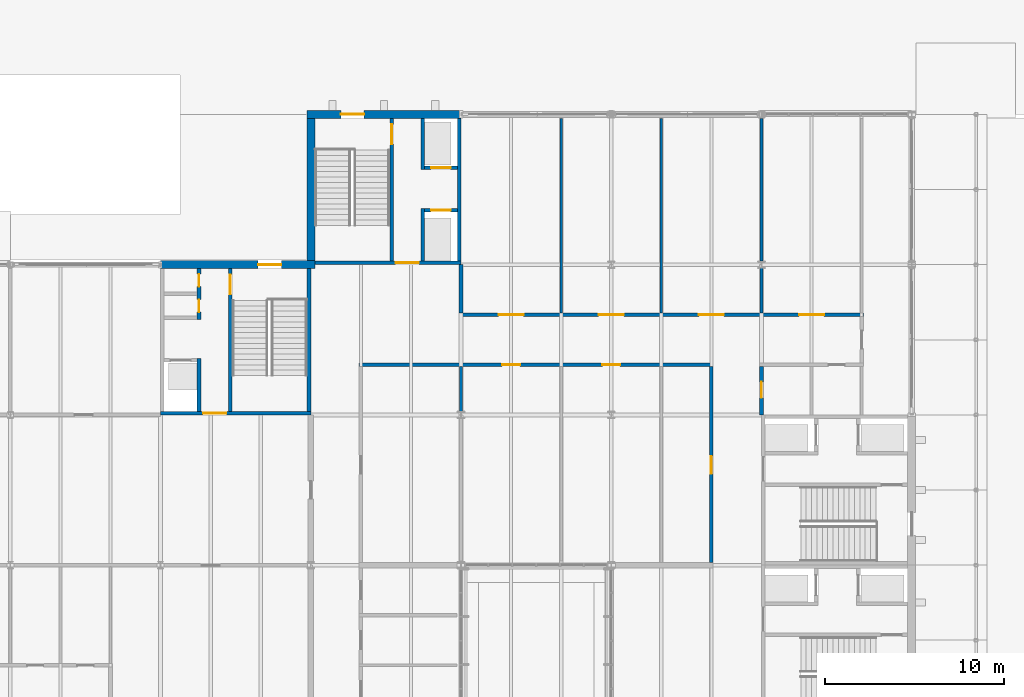
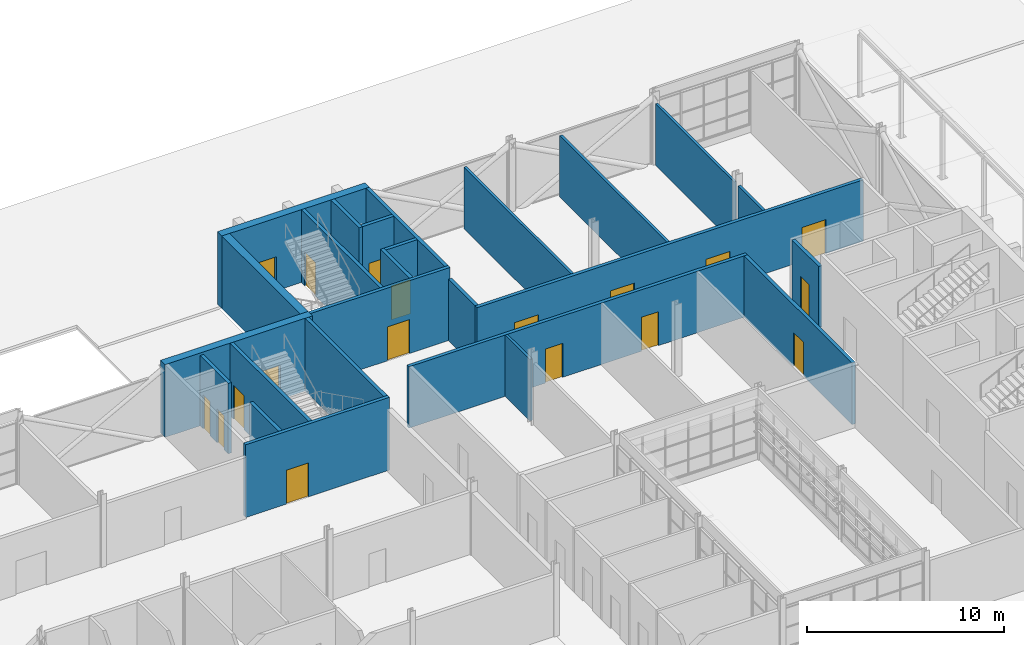
# One storey, part 94 of 116: 25 walls, 18 doors, 18 openings.
"""IFC4 building model written with IfcOpenShell, lengths in metres."""

from ifc_helpers import new_model, si_unit, direction, frame, frame_2d, origin, place, context, subcontext, project, spatial, rectangle, extrude, material, layer, layer_set, type_object, element, fill, save


model = new_model("IFC4")

# Units and contexts
model_context = context("Model", 3, precision=1e-05, world=origin(), true_north=direction((0.0, 1.0)))
body_context = subcontext(model_context, "Body", "Model", "MODEL_VIEW")
ifc_project = project(units=[si_unit("LENGTHUNIT", "METRE"), si_unit("AREAUNIT", "SQUARE_METRE"), si_unit("VOLUMEUNIT", "CUBIC_METRE"), si_unit("PLANEANGLEUNIT", "RADIAN"), si_unit("MASSUNIT", "GRAM", prefix="KILO")], contexts=[model_context])

# Site, building, storey
site_placement = place(None, origin())
site = spatial("IfcSite", under=ifc_project, at=site_placement, CompositionType="ELEMENT")
building_placement = place(site_placement, origin())
building = spatial("IfcBuilding", under=site, at=building_placement, Name="Ardhachandra Cancer Care Centre", CompositionType="ELEMENT")
storey_placement = place(building_placement, origin())
storey = spatial("IfcBuildingStorey", under=building, at=storey_placement, Name="L00", CompositionType="ELEMENT", Elevation=0.0)

# Wall, openings, doors
ifc_material_1 = material(Name="Gypsum board corridor partition on steel studs", Category="steel")
ifc_layer_1 = layer(ifc_material_1, 0.199951171875)
ifc_layer_set_1 = layer_set([ifc_layer_1], Name="Gypsum board corridor partition on steel studs")
wall_type_1 = type_object("IfcWallType", Name="CORRIDOR WALL 200", PredefinedType="PARTITIONING", material=ifc_layer_set_1)
wall_1_placement = place(storey_placement, frame((114.300048828125, 91.0, 0.0), z_axis=(0.0, 0.0, 1.0), x_axis=(1.0, 0.0, 0.0)))
wall_1 = element("IfcWall", 1, at=wall_1_placement, inside=storey, type_object=wall_type_1, Name="R/wall/L00/h0091000_0114300", PredefinedType="PARTITIONING", context=body_context, shape_type="SweptSolid", body=[
    extrude(rectangle(XDim=19.800048828125, YDim=0.199951171875, at=frame_2d((9.89990234375, 0.0))), origin(), (0.0, 0.0, 1.0), 3.800048828125),
])
opening_1_placement = place(wall_1_placement, frame((8.0, 0.0, 0.0)))
opening_1 = element("IfcOpeningElement", 2, at=opening_1_placement, cuts=wall_1, Name="Opening L00-0046", PredefinedType="OPENING", context=body_context, shape_type="SweptSolid", body=[
    extrude(rectangle(XDim=1.0, YDim=2.10009765625, at=frame_2d((0.5, 1.050048828125))), frame((0.0, 0.10986328125, 0.0), z_axis=(0.0, -1.0, 0.0), x_axis=(1.0, 0.0, 0.0)), (0.0, 0.0, 1.0), 0.219970703125),
])
opening_2_placement = place(wall_1_placement, frame((13.60009765625, 0.0, 0.0)))
opening_2 = element("IfcOpeningElement", 3, at=opening_2_placement, cuts=wall_1, Name="Opening L00-0047", PredefinedType="OPENING", context=body_context, shape_type="SweptSolid", body=[
    extrude(rectangle(XDim=1.0, YDim=2.10009765625, at=frame_2d((0.5, 1.050048828125))), frame((0.0, 0.10986328125, 0.0), z_axis=(0.0, -1.0, 0.0), x_axis=(1.0, 0.0, 0.0)), (0.0, 0.0, 1.0), 0.219970703125),
])
ifc_material_2 = material(Name="Timber fire door with smoke seals", Category="wood")
door_type_1 = type_object("IfcDoorType", Name="FIRE DOOR SINGLE 1000x2100 FD30S", OperationType="NOTDEFINED", PredefinedType="DOOR", material=ifc_material_2)
door_1_placement = place(opening_1_placement, origin())
door_1 = element("IfcDoor", 4, at=door_1_placement, inside=storey, type_object=door_type_1, Name="Door L00-0046", OperationType="SINGLE_SWING_LEFT", OverallHeight=2.10009765625, OverallWidth=1.0, PredefinedType="DOOR", context=body_context, shape_type="SweptSolid", body=[
    extrude(rectangle(XDim=1.0, YDim=2.10009765625, at=frame_2d((0.5, 1.050048828125))), frame((0.0, 0.02490234375, 0.0), z_axis=(0.0, -1.0, 0.0), x_axis=(1.0, 0.0, 0.0)), (0.0, 0.0, 1.0), 0.050048828125),
])
fill(opening_1, door_1)
door_2_placement = place(opening_2_placement, origin())
door_2 = element("IfcDoor", 5, at=door_2_placement, inside=storey, type_object=door_type_1, Name="Door L00-0047", OperationType="SINGLE_SWING_RIGHT", OverallHeight=2.10009765625, OverallWidth=1.0, PredefinedType="DOOR", context=body_context, shape_type="SweptSolid", body=[
    extrude(rectangle(XDim=1.0, YDim=2.10009765625, at=frame_2d((0.5, 1.050048828125))), frame((0.0, 0.02490234375, 0.0), z_axis=(0.0, -1.0, 0.0), x_axis=(1.0, 0.0, 0.0)), (0.0, 0.0, 1.0), 0.050048828125),
])
fill(opening_2, door_2)

wall_2_placement = place(storey_placement, frame((119.89990234375, 93.800048828125, 0.0), z_axis=(0.0, 0.0, 1.0), x_axis=(1.0, 0.0, 0.0)))
wall_2 = element("IfcWall", 6, at=wall_2_placement, inside=storey, type_object=wall_type_1, Name="R/wall/L00/h0093800_0119900", PredefinedType="PARTITIONING", context=body_context, shape_type="SweptSolid", body=[
    extrude(rectangle(XDim=22.60009765625, YDim=0.199951171875, at=frame_2d((11.300048828125, 0.0))), origin(), (0.0, 0.0, 1.0), 3.800048828125),
])
opening_3_placement = place(wall_2_placement, frame((2.199951171875, 0.0, 0.0)))
opening_3 = element("IfcOpeningElement", 7, at=opening_3_placement, cuts=wall_2, Name="Opening L00-0049", PredefinedType="OPENING", context=body_context, shape_type="SweptSolid", body=[
    extrude(rectangle(XDim=1.39990234375, YDim=2.10009765625, at=frame_2d((0.699951171875, 1.050048828125))), frame((0.0, 0.10986328125, 0.0), z_axis=(0.0, -1.0, 0.0), x_axis=(1.0, 0.0, 0.0)), (0.0, 0.0, 1.0), 0.219970703125),
])
opening_4_placement = place(wall_2_placement, frame((7.800048828125, 0.0, 0.0)))
opening_4 = element("IfcOpeningElement", 8, at=opening_4_placement, cuts=wall_2, Name="Opening L00-0050", PredefinedType="OPENING", context=body_context, shape_type="SweptSolid", body=[
    extrude(rectangle(XDim=1.39990234375, YDim=2.10009765625, at=frame_2d((0.699951171875, 1.050048828125))), frame((0.0, 0.10986328125, 0.0), z_axis=(0.0, -1.0, 0.0), x_axis=(1.0, 0.0, 0.0)), (0.0, 0.0, 1.0), 0.219970703125),
])
opening_5_placement = place(wall_2_placement, frame((13.39990234375, 0.0, 0.0)))
opening_5 = element("IfcOpeningElement", 9, at=opening_5_placement, cuts=wall_2, Name="Opening L00-0051", PredefinedType="OPENING", context=body_context, shape_type="SweptSolid", body=[
    extrude(rectangle(XDim=1.39990234375, YDim=2.10009765625, at=frame_2d((0.699951171875, 1.050048828125))), frame((0.0, 0.10986328125, 0.0), z_axis=(0.0, -1.0, 0.0), x_axis=(1.0, 0.0, 0.0)), (0.0, 0.0, 1.0), 0.219970703125),
])
opening_6_placement = place(wall_2_placement, frame((19.0, 0.0, 0.0)))
opening_6 = element("IfcOpeningElement", 10, at=opening_6_placement, cuts=wall_2, Name="Opening L00-0052", PredefinedType="OPENING", context=body_context, shape_type="SweptSolid", body=[
    extrude(rectangle(XDim=1.39990234375, YDim=2.10009765625, at=frame_2d((0.699951171875, 1.050048828125))), frame((0.0, 0.10986328125, 0.0), z_axis=(0.0, -1.0, 0.0), x_axis=(1.0, 0.0, 0.0)), (0.0, 0.0, 1.0), 0.219970703125),
])
ifc_material_3 = material(Name="Timber fire door with smoke seals", Category="wood")
door_type_2 = type_object("IfcDoorType", Name="BED ACCESS DOOR 1400x2100 FD30S", OperationType="NOTDEFINED", PredefinedType="DOOR", material=ifc_material_3)
door_3_placement = place(opening_3_placement, origin())
door_3 = element("IfcDoor", 11, at=door_3_placement, inside=storey, type_object=door_type_2, Name="Door L00-0049", OperationType="DOUBLE_DOOR_SINGLE_SWING", OverallHeight=2.10009765625, OverallWidth=1.39990234375, PredefinedType="DOOR", context=body_context, shape_type="SweptSolid", body=[
    extrude(rectangle(XDim=1.39990234375, YDim=2.10009765625, at=frame_2d((0.699951171875, 1.050048828125))), frame((0.0, 0.02490234375, 0.0), z_axis=(0.0, -1.0, 0.0), x_axis=(1.0, 0.0, 0.0)), (0.0, 0.0, 1.0), 0.050048828125),
])
fill(opening_3, door_3)
door_4_placement = place(opening_4_placement, origin())
door_4 = element("IfcDoor", 12, at=door_4_placement, inside=storey, type_object=door_type_2, Name="Door L00-0050", OperationType="DOUBLE_DOOR_SINGLE_SWING", OverallHeight=2.10009765625, OverallWidth=1.39990234375, PredefinedType="DOOR", context=body_context, shape_type="SweptSolid", body=[
    extrude(rectangle(XDim=1.39990234375, YDim=2.10009765625, at=frame_2d((0.699951171875, 1.050048828125))), frame((0.0, 0.02490234375, 0.0), z_axis=(0.0, -1.0, 0.0), x_axis=(1.0, 0.0, 0.0)), (0.0, 0.0, 1.0), 0.050048828125),
])
fill(opening_4, door_4)
door_5_placement = place(opening_5_placement, origin())
door_5 = element("IfcDoor", 13, at=door_5_placement, inside=storey, type_object=door_type_2, Name="Door L00-0051", OperationType="DOUBLE_DOOR_SINGLE_SWING", OverallHeight=2.10009765625, OverallWidth=1.39990234375, PredefinedType="DOOR", context=body_context, shape_type="SweptSolid", body=[
    extrude(rectangle(XDim=1.39990234375, YDim=2.10009765625, at=frame_2d((0.699951171875, 1.050048828125))), frame((0.0, 0.02490234375, 0.0), z_axis=(0.0, -1.0, 0.0), x_axis=(1.0, 0.0, 0.0)), (0.0, 0.0, 1.0), 0.050048828125),
])
fill(opening_5, door_5)
door_6_placement = place(opening_6_placement, origin())
door_6 = element("IfcDoor", 14, at=door_6_placement, inside=storey, type_object=door_type_2, Name="Door L00-0052", OperationType="DOUBLE_DOOR_SINGLE_SWING", OverallHeight=2.10009765625, OverallWidth=1.39990234375, PredefinedType="DOOR", context=body_context, shape_type="SweptSolid", body=[
    extrude(rectangle(XDim=1.39990234375, YDim=2.10009765625, at=frame_2d((0.699951171875, 1.050048828125))), frame((0.0, 0.02490234375, 0.0), z_axis=(0.0, -1.0, 0.0), x_axis=(1.0, 0.0, 0.0)), (0.0, 0.0, 1.0), 0.050048828125),
])
fill(opening_6, door_6)

# Wall
wall_3_placement = place(storey_placement, frame((120.0, 93.89990234375, 0.0), z_axis=(0.0, 0.0, 1.0), x_axis=(0.0, 1.0, 0.0)))
element("IfcWall", 15, at=wall_3_placement, inside=storey, type_object=wall_type_1, Name="R/wall/L00/v0120000_0093900", PredefinedType="PARTITIONING", context=body_context, shape_type="SweptSolid", body=[
    extrude(rectangle(XDim=2.7001953125, YDim=0.199951171875, at=frame_2d((1.35009765625, 0.0))), origin(), (0.0, 0.0, 1.0), 3.800048828125),
])

# Wall, opening, door
wall_4_placement = place(storey_placement, frame((134.0, 79.949951171875, 0.0), z_axis=(0.0, 0.0, 1.0), x_axis=(0.0, 1.0, 0.0)))
wall_4 = element("IfcWall", 16, at=wall_4_placement, inside=storey, type_object=wall_type_1, Name="R/wall/L00/v0134000_0079950", PredefinedType="PARTITIONING", context=body_context, shape_type="SweptSolid", body=[
    extrude(rectangle(XDim=10.949951171875, YDim=0.199951171875, at=frame_2d((5.47509765625, 0.0))), origin(), (0.0, 0.0, 1.0), 3.800048828125),
])
opening_7_placement = place(wall_4_placement, frame((4.949951171875, 0.0, 0.0)))
opening_7 = element("IfcOpeningElement", 17, at=opening_7_placement, cuts=wall_4, Name="Opening L00-0089", PredefinedType="OPENING", context=body_context, shape_type="SweptSolid", body=[
    extrude(rectangle(XDim=1.0, YDim=2.10009765625, at=frame_2d((0.5, 1.050048828125))), frame((0.0, 0.10986328125, 0.0), z_axis=(0.0, -1.0, 0.0), x_axis=(1.0, 0.0, 0.0)), (0.0, 0.0, 1.0), 0.219970703125),
])
door_7_placement = place(opening_7_placement, origin())
door_7 = element("IfcDoor", 18, at=door_7_placement, inside=storey, type_object=door_type_1, Name="Door L00-0089", OperationType="SINGLE_SWING_RIGHT", OverallHeight=2.10009765625, OverallWidth=1.0, PredefinedType="DOOR", context=body_context, shape_type="SweptSolid", body=[
    extrude(rectangle(XDim=1.0, YDim=2.10009765625, at=frame_2d((0.5, 1.050048828125))), frame((0.0, 0.02490234375, 0.0), z_axis=(0.0, -1.0, 0.0), x_axis=(1.0, 0.0, 0.0)), (0.0, 0.0, 1.0), 0.050048828125),
])
fill(opening_7, door_7)

wall_5_placement = place(storey_placement, frame((136.800048828125, 88.199951171875, 0.0), z_axis=(0.0, 0.0, 1.0), x_axis=(0.0, 1.0, 0.0)))
wall_5 = element("IfcWall", 19, at=wall_5_placement, inside=storey, type_object=wall_type_1, Name="R/wall/L00/v0136800_0088200", PredefinedType="PARTITIONING", context=body_context, shape_type="SweptSolid", body=[
    extrude(rectangle(XDim=2.699951171875, YDim=0.199951171875, at=frame_2d((1.35009765625, 0.0))), origin(), (0.0, 0.0, 1.0), 3.800048828125),
])
opening_8_placement = place(wall_5_placement, frame((0.949951171875, 0.0, 0.0)))
opening_8 = element("IfcOpeningElement", 20, at=opening_8_placement, cuts=wall_5, Name="Opening L00-0091", PredefinedType="OPENING", context=body_context, shape_type="SweptSolid", body=[
    extrude(rectangle(XDim=0.89990234375, YDim=2.10009765625, at=frame_2d((0.449951171875, 1.050048828125))), frame((0.0, 0.10986328125, 0.0), z_axis=(0.0, -1.0, 0.0), x_axis=(1.0, 0.0, 0.0)), (0.0, 0.0, 1.0), 0.219970703125),
])
ifc_material_4 = material(Name="Timber fire door with smoke seals", Category="wood")
door_type_3 = type_object("IfcDoorType", Name="FIRE DOOR WC 900x2100 FD30S", OperationType="NOTDEFINED", PredefinedType="DOOR", material=ifc_material_4)
door_8_placement = place(opening_8_placement, origin())
door_8 = element("IfcDoor", 21, at=door_8_placement, inside=storey, type_object=door_type_3, Name="Door L00-0091", OperationType="SINGLE_SWING_LEFT", OverallHeight=2.10009765625, OverallWidth=0.89990234375, PredefinedType="DOOR", context=body_context, shape_type="SweptSolid", body=[
    extrude(rectangle(XDim=0.89990234375, YDim=2.10009765625, at=frame_2d((0.449951171875, 1.050048828125))), frame((0.0, 0.02490234375, 0.0), z_axis=(0.0, -1.0, 0.0), x_axis=(1.0, 0.0, 0.0)), (0.0, 0.0, 1.0), 0.050048828125),
])
fill(opening_8, door_8)

ifc_material_5 = material(Name="Concrete M40", Category="concrete")
ifc_layer_2 = layer(ifc_material_5, 0.449951171875)
ifc_layer_set_2 = layer_set([ifc_layer_2], Name="Concrete M40")
wall_type_2 = type_object("IfcWallType", Name="Core exterior wall RC 450", PredefinedType="SOLIDWALL", material=ifc_layer_set_2)
wall_6_placement = place(storey_placement, frame((111.824951171875, 96.60009765625, 0.0), z_axis=(0.0, 0.0, 1.0), x_axis=(-1.0, 0.0, 0.0)))
wall_6 = element("IfcWall", 22, at=wall_6_placement, inside=storey, type_object=wall_type_2, Name="Core wall K7 FAR", PredefinedType="SOLIDWALL", context=body_context, shape_type="SweptSolid", body=[
    extrude(rectangle(XDim=8.625, YDim=0.449951171875, at=frame_2d((4.3125, 0.0))), origin(), (0.0, 0.0, 1.0), 4.5),
])
opening_9_placement = place(wall_6_placement, frame((1.875, 0.0, 0.0)))
opening_9 = element("IfcOpeningElement", 23, at=opening_9_placement, cuts=wall_6, Name="Opening L00-K07-6", PredefinedType="OPENING", context=body_context, shape_type="SweptSolid", body=[
    extrude(rectangle(XDim=1.300048828125, YDim=2.10009765625, at=frame_2d((0.64990234375, 1.050048828125))), frame((0.0, 0.23486328125, 0.0), z_axis=(0.0, -1.0, 0.0), x_axis=(1.0, 0.0, 0.0)), (0.0, 0.0, 1.0), 0.469970703125),
])
ifc_material_6 = material(Name="Steel door set", Category="steel")
door_type_4 = type_object("IfcDoorType", Name="Core exit double door 1300x2100 FD60S", OperationType="DOUBLE_DOOR_DOUBLE_SWING", PredefinedType="DOOR", material=ifc_material_6)
door_9_placement = place(opening_9_placement, origin())
door_9 = element("IfcDoor", 24, at=door_9_placement, inside=storey, type_object=door_type_4, Name="Stair exit door", OperationType="DOUBLE_DOOR_DOUBLE_SWING", OverallHeight=2.10009765625, OverallWidth=1.300048828125, PredefinedType="DOOR", context=body_context, shape_type="SweptSolid", body=[
    extrude(rectangle(XDim=1.300048828125, YDim=2.10009765625, at=frame_2d((0.64990234375, 1.050048828125))), frame((0.0, 0.02490234375, 0.0), z_axis=(0.0, -1.0, 0.0), x_axis=(1.0, 0.0, 0.0)), (0.0, 0.0, 1.0), 0.050048828125),
])
fill(opening_9, door_9)

wall_7_placement = place(storey_placement, frame((111.375, 105.0, 0.0), z_axis=(0.0, 0.0, 1.0), x_axis=(1.0, 0.0, 0.0)))
wall_7 = element("IfcWall", 25, at=wall_7_placement, inside=storey, type_object=wall_type_2, Name="Core wall K12 FAR", PredefinedType="SOLIDWALL", context=body_context, shape_type="SweptSolid", body=[
    extrude(rectangle(XDim=8.625, YDim=0.449951171875, at=frame_2d((4.3125, 0.0))), origin(), (0.0, 0.0, 1.0), 4.5),
])
opening_10_placement = place(wall_7_placement, frame((1.89990234375, 0.0, 0.0)))
opening_10 = element("IfcOpeningElement", 26, at=opening_10_placement, cuts=wall_7, Name="Opening L00-K12-5", PredefinedType="OPENING", context=body_context, shape_type="SweptSolid", body=[
    extrude(rectangle(XDim=1.300048828125, YDim=2.10009765625, at=frame_2d((0.64990234375, 1.050048828125))), frame((0.0, 0.23486328125, 0.0), z_axis=(0.0, -1.0, 0.0), x_axis=(1.0, 0.0, 0.0)), (0.0, 0.0, 1.0), 0.469970703125),
])
door_10_placement = place(opening_10_placement, origin())
door_10 = element("IfcDoor", 27, at=door_10_placement, inside=storey, type_object=door_type_4, Name="Stair exit door", OperationType="DOUBLE_DOOR_DOUBLE_SWING", OverallHeight=2.10009765625, OverallWidth=1.300048828125, PredefinedType="DOOR", context=body_context, shape_type="SweptSolid", body=[
    extrude(rectangle(XDim=1.300048828125, YDim=2.10009765625, at=frame_2d((0.64990234375, 1.050048828125))), frame((0.0, 0.02490234375, 0.0), z_axis=(0.0, -1.0, 0.0), x_axis=(1.0, 0.0, 0.0)), (0.0, 0.0, 1.0), 0.050048828125),
])
fill(opening_10, door_10)

# Wall
wall_8_placement = place(storey_placement, frame((111.60009765625, 96.824951171875, 0.0), z_axis=(0.0, 0.0, 1.0), x_axis=(0.0, 1.0, 0.0)))
element("IfcWall", 28, at=wall_8_placement, inside=storey, type_object=wall_type_2, Name="Core wall K12 UW", PredefinedType="SOLIDWALL", context=body_context, shape_type="SweptSolid", body=[
    extrude(rectangle(XDim=7.949951171875, YDim=0.449951171875, at=frame_2d((3.97509765625, 0.0))), origin(), (0.0, 0.0, 1.0), 4.5),
])

# Wall, opening, door
ifc_material_7 = material(Name="Concrete M40", Category="concrete")
ifc_layer_3 = layer(ifc_material_7, 0.199951171875)
ifc_layer_set_3 = layer_set([ifc_layer_3], Name="Concrete M40")
wall_type_3 = type_object("IfcWallType", Name="Core wall RC 200", PredefinedType="SOLIDWALL", material=ifc_layer_set_3)
wall_9_placement = place(storey_placement, frame((111.60009765625, 88.300048828125, 0.0), z_axis=(0.0, 0.0, 1.0), x_axis=(-1.0, 0.0, 0.0)))
wall_9 = element("IfcWall", 29, at=wall_9_placement, inside=storey, type_object=wall_type_3, Name="Core wall K7 ENT", PredefinedType="SOLIDWALL", context=body_context, shape_type="SweptSolid", body=[
    extrude(rectangle(XDim=8.400146484375, YDim=0.199951171875, at=frame_2d((4.2001953125, 0.0))), origin(), (0.0, 0.0, 1.0), 4.5),
])
opening_11_placement = place(wall_9_placement, frame((4.72509765625, 0.0, 0.0)))
opening_11 = element("IfcOpeningElement", 30, at=opening_11_placement, cuts=wall_9, Name="Opening L00-K07-1", PredefinedType="OPENING", context=body_context, shape_type="SweptSolid", body=[
    extrude(rectangle(XDim=1.300048828125, YDim=2.10009765625, at=frame_2d((0.64990234375, 1.050048828125))), frame((0.0, 0.10986328125, 0.0), z_axis=(0.0, -1.0, 0.0), x_axis=(1.0, 0.0, 0.0)), (0.0, 0.0, 1.0), 0.219970703125),
])
ifc_material_8 = material(Name="Steel door set", Category="steel")
door_type_5 = type_object("IfcDoorType", Name="Core entry double door 1300x2100 FD60", OperationType="DOUBLE_DOOR_DOUBLE_SWING", PredefinedType="DOOR", material=ifc_material_8)
door_11_placement = place(opening_11_placement, origin())
door_11 = element("IfcDoor", 31, at=door_11_placement, inside=storey, type_object=door_type_5, Name="Core entry door", OperationType="DOUBLE_DOOR_DOUBLE_SWING", OverallHeight=2.10009765625, OverallWidth=1.300048828125, PredefinedType="DOOR", context=body_context, shape_type="SweptSolid", body=[
    extrude(rectangle(XDim=1.300048828125, YDim=2.10009765625, at=frame_2d((0.64990234375, 1.050048828125))), frame((0.0, 0.02490234375, 0.0), z_axis=(0.0, -1.0, 0.0), x_axis=(1.0, 0.0, 0.0)), (0.0, 0.0, 1.0), 0.050048828125),
])
fill(opening_11, door_11)

# Wall
wall_10_placement = place(storey_placement, frame((111.5, 88.39990234375, 0.0), z_axis=(0.0, 0.0, 1.0), x_axis=(0.0, 1.0, 0.0)))
element("IfcWall", 32, at=wall_10_placement, inside=storey, type_object=wall_type_3, Name="Core wall K7 UW", PredefinedType="SOLIDWALL", context=body_context, shape_type="SweptSolid", body=[
    extrude(rectangle(XDim=7.97509765625, YDim=0.199951171875, at=frame_2d((3.987548828125, 0.0))), origin(), (0.0, 0.0, 1.0), 4.5),
])

# Wall, opening, door
wall_11_placement = place(storey_placement, frame((107.10009765625, 88.39990234375, 0.0), z_axis=(0.0, 0.0, 1.0), x_axis=(0.0, 1.0, 0.0)))
wall_11 = element("IfcWall", 33, at=wall_11_placement, inside=storey, type_object=wall_type_3, Name="Core wall K7 P1", PredefinedType="SOLIDWALL", context=body_context, shape_type="SweptSolid", body=[
    extrude(rectangle(XDim=7.97509765625, YDim=0.199951171875, at=frame_2d((3.987548828125, 0.0))), origin(), (0.0, 0.0, 1.0), 4.5),
])
opening_12_placement = place(wall_11_placement, frame((6.53759765625, 0.0, 0.0)))
opening_12 = element("IfcOpeningElement", 34, at=opening_12_placement, cuts=wall_11, Name="Opening L00-K07-2", PredefinedType="OPENING", context=body_context, shape_type="SweptSolid", body=[
    extrude(rectangle(XDim=1.10009765625, YDim=2.10009765625, at=frame_2d((0.550048828125, 1.050048828125))), frame((0.0, 0.10986328125, 0.0), z_axis=(0.0, -1.0, 0.0), x_axis=(1.0, 0.0, 0.0)), (0.0, 0.0, 1.0), 0.219970703125),
])
ifc_material_9 = material(Name="Steel door set", Category="steel")
door_type_6 = type_object("IfcDoorType", Name="Stair door 1100x2100 FD60S", OperationType="NOTDEFINED", PredefinedType="DOOR", material=ifc_material_9)
door_12_placement = place(opening_12_placement, origin())
door_12 = element("IfcDoor", 35, at=door_12_placement, inside=storey, type_object=door_type_6, Name="Stair door", OperationType="SINGLE_SWING_LEFT", OverallHeight=2.10009765625, OverallWidth=1.10009765625, PredefinedType="DOOR", context=body_context, shape_type="SweptSolid", body=[
    extrude(rectangle(XDim=1.10009765625, YDim=2.10009765625, at=frame_2d((0.550048828125, 1.050048828125))), frame((0.0, 0.02490234375, 0.0), z_axis=(0.0, -1.0, 0.0), x_axis=(1.0, 0.0, 0.0)), (0.0, 0.0, 1.0), 0.050048828125),
])
fill(opening_12, door_12)

# Wall
wall_12_placement = place(storey_placement, frame((105.35009765625, 88.39990234375, 0.0), z_axis=(0.0, 0.0, 1.0), x_axis=(0.0, 1.0, 0.0)))
element("IfcWall", 36, at=wall_12_placement, inside=storey, type_object=wall_type_3, Name="Core wall K7 P2A", PredefinedType="SOLIDWALL", context=body_context, shape_type="SweptSolid", body=[
    extrude(rectangle(XDim=2.9501953125, YDim=0.199951171875, at=frame_2d((1.47509765625, 0.0))), origin(), (0.0, 0.0, 1.0), 4.5),
])

# Wall, openings, doors
wall_13_placement = place(storey_placement, frame((105.35009765625, 93.52490234375, 0.0), z_axis=(0.0, 0.0, 1.0), x_axis=(0.0, 1.0, 0.0)))
wall_13 = element("IfcWall", 37, at=wall_13_placement, inside=storey, type_object=wall_type_3, Name="Core wall K7 P2B", PredefinedType="SOLIDWALL", context=body_context, shape_type="SweptSolid", body=[
    extrude(rectangle(XDim=2.85009765625, YDim=0.199951171875, at=frame_2d((1.425048828125, 0.0))), origin(), (0.0, 0.0, 1.0), 4.35009765625),
])
opening_13_placement = place(wall_13_placement, frame((0.425048828125, 0.0, 0.0)))
opening_13 = element("IfcOpeningElement", 38, at=opening_13_placement, cuts=wall_13, Name="Opening L00-K07-4", PredefinedType="OPENING", context=body_context, shape_type="SweptSolid", body=[
    extrude(rectangle(XDim=0.699951171875, YDim=2.10009765625, at=frame_2d((0.35009765625, 1.050048828125))), frame((0.0, 0.10986328125, 0.0), z_axis=(0.0, -1.0, 0.0), x_axis=(1.0, 0.0, 0.0)), (0.0, 0.0, 1.0), 0.219970703125),
])
opening_14_placement = place(wall_13_placement, frame((1.85009765625, 0.0, 0.0)))
opening_14 = element("IfcOpeningElement", 39, at=opening_14_placement, cuts=wall_13, Name="Opening L00-K07-5", PredefinedType="OPENING", context=body_context, shape_type="SweptSolid", body=[
    extrude(rectangle(XDim=0.699951171875, YDim=2.10009765625, at=frame_2d((0.35009765625, 1.050048828125))), frame((0.0, 0.10986328125, 0.0), z_axis=(0.0, -1.0, 0.0), x_axis=(1.0, 0.0, 0.0)), (0.0, 0.0, 1.0), 0.219970703125),
])
ifc_material_10 = material(Name="Steel door set", Category="steel")
door_type_7 = type_object("IfcDoorType", Name="Riser access door 700x2100 FD120S", OperationType="NOTDEFINED", PredefinedType="DOOR", material=ifc_material_10)
door_13_placement = place(opening_13_placement, origin())
door_13 = element("IfcDoor", 40, at=door_13_placement, inside=storey, type_object=door_type_7, Name="Riser access door", OperationType="SINGLE_SWING_RIGHT", OverallHeight=2.10009765625, OverallWidth=0.699951171875, PredefinedType="DOOR", context=body_context, shape_type="SweptSolid", body=[
    extrude(rectangle(XDim=0.699951171875, YDim=2.10009765625, at=frame_2d((0.35009765625, 1.050048828125))), frame((0.0, 0.02490234375, 0.0), z_axis=(0.0, -1.0, 0.0), x_axis=(1.0, 0.0, 0.0)), (0.0, 0.0, 1.0), 0.050048828125),
])
fill(opening_13, door_13)
door_14_placement = place(opening_14_placement, origin())
door_14 = element("IfcDoor", 41, at=door_14_placement, inside=storey, type_object=door_type_7, Name="Riser access door", OperationType="SINGLE_SWING_LEFT", OverallHeight=2.10009765625, OverallWidth=0.699951171875, PredefinedType="DOOR", context=body_context, shape_type="SweptSolid", body=[
    extrude(rectangle(XDim=0.699951171875, YDim=2.10009765625, at=frame_2d((0.35009765625, 1.050048828125))), frame((0.0, 0.02490234375, 0.0), z_axis=(0.0, -1.0, 0.0), x_axis=(1.0, 0.0, 0.0)), (0.0, 0.0, 1.0), 0.050048828125),
])
fill(opening_14, door_14)

# Wall, opening, door
wall_14_placement = place(storey_placement, frame((111.824951171875, 96.699951171875, 0.0), z_axis=(0.0, 0.0, 1.0), x_axis=(1.0, 0.0, 0.0)))
wall_14 = element("IfcWall", 42, at=wall_14_placement, inside=storey, type_object=wall_type_3, Name="Core wall K12 ENT", PredefinedType="SOLIDWALL", context=body_context, shape_type="SweptSolid", body=[
    extrude(rectangle(XDim=8.175048828125, YDim=0.199951171875, at=frame_2d((4.08740234375, 0.0))), origin(), (0.0, 0.0, 1.0), 4.5),
])
opening_15_placement = place(wall_14_placement, frame((4.512451171875, 0.0, 0.0)))
opening_15 = element("IfcOpeningElement", 43, at=opening_15_placement, cuts=wall_14, Name="Opening L00-K12-1", PredefinedType="OPENING", context=body_context, shape_type="SweptSolid", body=[
    extrude(rectangle(XDim=1.300048828125, YDim=2.10009765625, at=frame_2d((0.64990234375, 1.050048828125))), frame((0.0, 0.10986328125, 0.0), z_axis=(0.0, -1.0, 0.0), x_axis=(1.0, 0.0, 0.0)), (0.0, 0.0, 1.0), 0.219970703125),
])
door_15_placement = place(opening_15_placement, origin())
door_15 = element("IfcDoor", 44, at=door_15_placement, inside=storey, type_object=door_type_5, Name="Core entry door", OperationType="DOUBLE_DOOR_DOUBLE_SWING", OverallHeight=2.10009765625, OverallWidth=1.300048828125, PredefinedType="DOOR", context=body_context, shape_type="SweptSolid", body=[
    extrude(rectangle(XDim=1.300048828125, YDim=2.10009765625, at=frame_2d((0.64990234375, 1.050048828125))), frame((0.0, 0.02490234375, 0.0), z_axis=(0.0, -1.0, 0.0), x_axis=(1.0, 0.0, 0.0)), (0.0, 0.0, 1.0), 0.050048828125),
])
fill(opening_15, door_15)

# Wall
wall_15_placement = place(storey_placement, frame((119.89990234375, 96.800048828125, 0.0), z_axis=(0.0, 0.0, 1.0), x_axis=(0.0, 1.0, 0.0)))
element("IfcWall", 45, at=wall_15_placement, inside=storey, type_object=wall_type_3, Name="Core wall K12 UE", PredefinedType="SOLIDWALL", context=body_context, shape_type="SweptSolid", body=[
    extrude(rectangle(XDim=7.974853515625, YDim=0.199951171875, at=frame_2d((3.9873046875, 0.0))), origin(), (0.0, 0.0, 1.0), 4.5),
])

# Wall, opening, door
wall_16_placement = place(storey_placement, frame((116.125, 96.800048828125, 0.0), z_axis=(0.0, 0.0, 1.0), x_axis=(0.0, 1.0, 0.0)))
wall_16 = element("IfcWall", 46, at=wall_16_placement, inside=storey, type_object=wall_type_3, Name="Core wall K12 P1", PredefinedType="SOLIDWALL", context=body_context, shape_type="SweptSolid", body=[
    extrude(rectangle(XDim=7.974853515625, YDim=0.199951171875, at=frame_2d((3.9873046875, 0.0))), origin(), (0.0, 0.0, 1.0), 4.5),
])
opening_16_placement = place(wall_16_placement, frame((6.53759765625, 0.0, 0.0)))
opening_16 = element("IfcOpeningElement", 47, at=opening_16_placement, cuts=wall_16, Name="Opening L00-K12-2", PredefinedType="OPENING", context=body_context, shape_type="SweptSolid", body=[
    extrude(rectangle(XDim=1.10009765625, YDim=2.10009765625, at=frame_2d((0.550048828125, 1.050048828125))), frame((0.0, 0.10986328125, 0.0), z_axis=(0.0, -1.0, 0.0), x_axis=(1.0, 0.0, 0.0)), (0.0, 0.0, 1.0), 0.219970703125),
])
door_16_placement = place(opening_16_placement, origin())
door_16 = element("IfcDoor", 48, at=door_16_placement, inside=storey, type_object=door_type_6, Name="Stair door", OperationType="SINGLE_SWING_RIGHT", OverallHeight=2.10009765625, OverallWidth=1.10009765625, PredefinedType="DOOR", context=body_context, shape_type="SweptSolid", body=[
    extrude(rectangle(XDim=1.10009765625, YDim=2.10009765625, at=frame_2d((0.550048828125, 1.050048828125))), frame((0.0, 0.02490234375, 0.0), z_axis=(0.0, -1.0, 0.0), x_axis=(1.0, 0.0, 0.0)), (0.0, 0.0, 1.0), 0.050048828125),
])
fill(opening_16, door_16)

# Walls
wall_17_placement = place(storey_placement, frame((117.85009765625, 96.800048828125, 0.0), z_axis=(0.0, 0.0, 1.0), x_axis=(0.0, 1.0, 0.0)))
element("IfcWall", 49, at=wall_17_placement, inside=storey, type_object=wall_type_3, Name="Core wall K12 P2A", PredefinedType="SOLIDWALL", context=body_context, shape_type="SweptSolid", body=[
    extrude(rectangle(XDim=2.949951171875, YDim=0.199951171875, at=frame_2d((1.47509765625, 0.0))), origin(), (0.0, 0.0, 1.0), 4.5),
])
wall_18_placement = place(storey_placement, frame((117.85009765625, 101.925048828125, 0.0), z_axis=(0.0, 0.0, 1.0), x_axis=(0.0, 1.0, 0.0)))
element("IfcWall", 50, at=wall_18_placement, inside=storey, type_object=wall_type_3, Name="Core wall K12 P2B", PredefinedType="SOLIDWALL", context=body_context, shape_type="SweptSolid", body=[
    extrude(rectangle(XDim=2.849853515625, YDim=0.199951171875, at=frame_2d((1.4248046875, 0.0))), origin(), (0.0, 0.0, 1.0), 4.5),
])

# Wall, opening, door
wall_19_placement = place(storey_placement, frame((117.949951171875, 99.64990234375, 0.0), z_axis=(0.0, 0.0, 1.0), x_axis=(1.0, 0.0, 0.0)))
wall_19 = element("IfcWall", 51, at=wall_19_placement, inside=storey, type_object=wall_type_3, Name="Core wall K12 W1", PredefinedType="SOLIDWALL", context=body_context, shape_type="SweptSolid", body=[
    extrude(rectangle(XDim=1.85009765625, YDim=0.199951171875, at=frame_2d((0.925048828125, 0.0))), origin(), (0.0, 0.0, 1.0), 4.5),
])
opening_17_placement = place(wall_19_placement, frame((0.375, 0.0, 0.0)))
opening_17 = element("IfcOpeningElement", 52, at=opening_17_placement, cuts=wall_19, Name="Opening L00-K12-3", PredefinedType="OPENING", context=body_context, shape_type="SweptSolid", body=[
    extrude(rectangle(XDim=1.10009765625, YDim=2.10009765625, at=frame_2d((0.550048828125, 1.050048828125))), frame((0.0, 0.10986328125, 0.0), z_axis=(0.0, -1.0, 0.0), x_axis=(1.0, 0.0, 0.0)), (0.0, 0.0, 1.0), 0.219970703125),
])
ifc_material_11 = material(Name="Stainless steel (grade 304)", Category="steel")
door_type_8 = type_object("IfcDoorType", Name="Lift landing door 1100x2100", OperationType="DOUBLE_DOOR_SLIDING", PredefinedType="DOOR", material=ifc_material_11)
door_17_placement = place(opening_17_placement, origin())
door_17 = element("IfcDoor", 53, at=door_17_placement, inside=storey, type_object=door_type_8, Name="Lift landing door LF-K12-1", OperationType="DOUBLE_DOOR_SLIDING", OverallHeight=2.10009765625, OverallWidth=1.10009765625, PredefinedType="DOOR", context=body_context, shape_type="SweptSolid", body=[
    extrude(rectangle(XDim=1.10009765625, YDim=2.10009765625, at=frame_2d((0.550048828125, 1.050048828125))), frame((0.0, 0.02490234375, 0.0), z_axis=(0.0, -1.0, 0.0), x_axis=(1.0, 0.0, 0.0)), (0.0, 0.0, 1.0), 0.050048828125),
])
fill(opening_17, door_17)

wall_20_placement = place(storey_placement, frame((117.949951171875, 102.02490234375, 0.0), z_axis=(0.0, 0.0, 1.0), x_axis=(1.0, 0.0, 0.0)))
wall_20 = element("IfcWall", 54, at=wall_20_placement, inside=storey, type_object=wall_type_3, Name="Core wall K12 W2", PredefinedType="SOLIDWALL", context=body_context, shape_type="SweptSolid", body=[
    extrude(rectangle(XDim=1.85009765625, YDim=0.199951171875, at=frame_2d((0.925048828125, 0.0))), origin(), (0.0, 0.0, 1.0), 4.5),
])
opening_18_placement = place(wall_20_placement, frame((0.375, 0.0, 0.0)))
opening_18 = element("IfcOpeningElement", 55, at=opening_18_placement, cuts=wall_20, Name="Opening L00-K12-4", PredefinedType="OPENING", context=body_context, shape_type="SweptSolid", body=[
    extrude(rectangle(XDim=1.10009765625, YDim=2.10009765625, at=frame_2d((0.550048828125, 1.050048828125))), frame((0.0, 0.10986328125, 0.0), z_axis=(0.0, -1.0, 0.0), x_axis=(1.0, 0.0, 0.0)), (0.0, 0.0, 1.0), 0.219970703125),
])
door_18_placement = place(opening_18_placement, origin())
door_18 = element("IfcDoor", 56, at=door_18_placement, inside=storey, type_object=door_type_8, Name="Lift landing door LF-K12-2", OperationType="DOUBLE_DOOR_SLIDING", OverallHeight=2.10009765625, OverallWidth=1.10009765625, PredefinedType="DOOR", context=body_context, shape_type="SweptSolid", body=[
    extrude(rectangle(XDim=1.10009765625, YDim=2.10009765625, at=frame_2d((0.550048828125, 1.050048828125))), frame((0.0, 0.02490234375, 0.0), z_axis=(0.0, -1.0, 0.0), x_axis=(1.0, 0.0, 0.0)), (0.0, 0.0, 1.0), 0.050048828125),
])
fill(opening_18, door_18)

# Walls
ifc_material_12 = material(Name="Gypsum board partition on steel studs", Category="steel")
ifc_layer_4 = layer(ifc_material_12, 0.14990234375)
ifc_layer_set_4 = layer_set([ifc_layer_4], Name="Gypsum board partition on steel studs")
wall_type_4 = type_object("IfcWallType", Name="PARTITION 150", PredefinedType="PARTITIONING", material=ifc_layer_set_4)
wall_21_placement = place(storey_placement, frame((120.0, 88.3974609375, 0.0), z_axis=(0.0, 0.0, 1.0), x_axis=(0.0, 1.0, 0.0)))
element("IfcWall", 57, at=wall_21_placement, inside=storey, type_object=wall_type_4, Name="R/wall/L00/v0120000_0088398", PredefinedType="PARTITIONING", context=body_context, shape_type="SweptSolid", body=[
    extrude(rectangle(XDim=2.50244140625, YDim=0.14990234375, at=frame_2d((1.251220703125, 0.0))), origin(), (0.0, 0.0, 1.0), 3.800048828125),
])
for number, where, z_axis, x_axis, name in (
    (58, (125.60009765625, 93.89990234375, 0.0), (0.0, 0.0, 1.0), (0.0, 1.0, 0.0), "R/wall/L00/v0125600_0093900"),
    (59, (131.199951171875, 93.89990234375, 0.0), (0.0, 0.0, 1.0), (0.0, 1.0, 0.0), "R/wall/L00/v0131200_0093900"),
):
    element("IfcWall", number, at=place(storey_placement, frame(where, z_axis=z_axis, x_axis=x_axis)), inside=storey, type_object=wall_type_4, Name=name, PredefinedType="PARTITIONING", context=body_context, shape_type="SweptSolid", body=[
        extrude(rectangle(XDim=10.875, YDim=0.14990234375, at=frame_2d((5.4375, 0.0))), origin(), (0.0, 0.0, 1.0), 3.800048828125),
    ])
wall_22_placement = place(storey_placement, frame((136.800048828125, 93.89990234375, 0.0), z_axis=(0.0, 0.0, 1.0), x_axis=(0.0, 1.0, 0.0)))
element("IfcWall", 60, at=wall_22_placement, inside=storey, type_object=wall_type_4, Name="R/wall/L00/v0136800_0093900", PredefinedType="PARTITIONING", context=body_context, shape_type="SweptSolid", body=[
    extrude(rectangle(XDim=2.502685546875, YDim=0.14990234375, at=frame_2d((1.25146484375, 0.0))), origin(), (0.0, 0.0, 1.0), 3.800048828125),
])
wall_23_placement = place(storey_placement, frame((136.800048828125, 96.797607421875, 0.0), z_axis=(0.0, 0.0, 1.0), x_axis=(0.0, 1.0, 0.0)))
element("IfcWall", 61, at=wall_23_placement, inside=storey, type_object=wall_type_4, Name="R/wall/L00/v0136800_0096798", PredefinedType="PARTITIONING", context=body_context, shape_type="SweptSolid", body=[
    extrude(rectangle(XDim=7.977294921875, YDim=0.14990234375, at=frame_2d((3.98876953125, 0.0))), origin(), (0.0, 0.0, 1.0), 3.800048828125),
])

save(model, "model.ifc")
